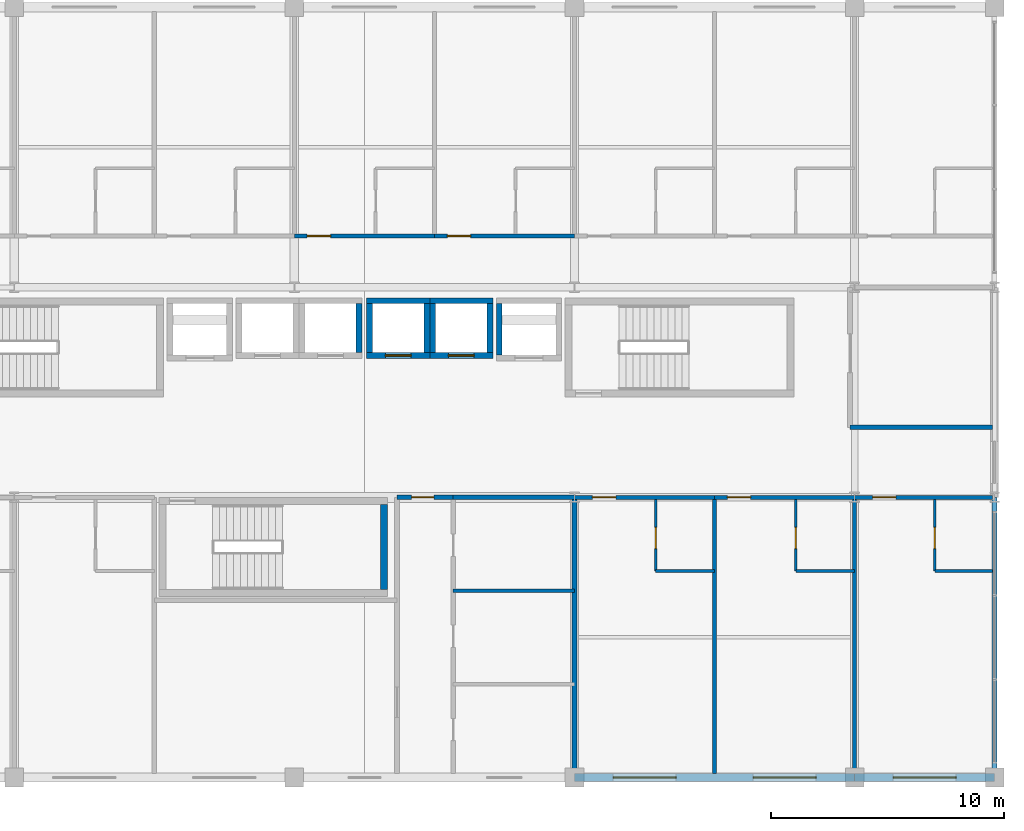
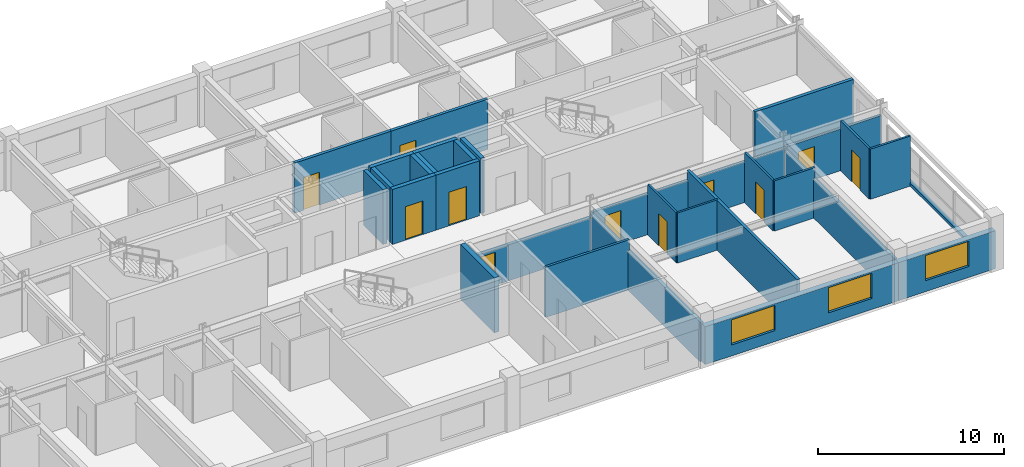
# One storey, part 23 of 26: 32 walls, 11 doors, 3 windows, 14 openings.
"""IFC4 building model written with IfcOpenShell, lengths in metres."""

from ifc_helpers import new_model, si_unit, direction, frame, frame_2d, origin, place, context, subcontext, project, spatial, rectangle, extrude, material, layer, layer_set, type_object, element, fill, save


model = new_model("IFC4")

# Units and contexts
model_context = context("Model", 3, precision=1e-05, world=origin(), true_north=direction((0.0, 1.0)))
body_context = subcontext(model_context, "Body", "Model", "MODEL_VIEW")
ifc_project = project(units=[si_unit("LENGTHUNIT", "METRE"), si_unit("AREAUNIT", "SQUARE_METRE"), si_unit("VOLUMEUNIT", "CUBIC_METRE"), si_unit("PLANEANGLEUNIT", "RADIAN"), si_unit("MASSUNIT", "GRAM", prefix="KILO")], contexts=[model_context])

# Site, building, storey
site_placement = place(None, origin())
site = spatial("IfcSite", under=ifc_project, at=site_placement, CompositionType="ELEMENT")
building_placement = place(site_placement, origin())
building = spatial("IfcBuilding", under=site, at=building_placement, Name="Kaldorvane Square Convention Centre", CompositionType="ELEMENT")
storey_placement = place(building_placement, frame((0.0, 0.0, 42.0)))
storey = spatial("IfcBuildingStorey", under=building, at=storey_placement, Name="L09", CompositionType="ELEMENT", Elevation=42.0)

# Wall, opening, door
ifc_material_1 = material(Name="Fire-Rated Gypsum Board on Acoustic Steel Studs", Category="steel")
ifc_layer_1 = layer(ifc_material_1, 0.125)
ifc_layer_set_1 = layer_set([ifc_layer_1], Name="Fire-Rated Gypsum Board on Acoustic Steel Studs")
wall_type_1 = type_object("IfcWallType", Name="WL-BATH-125", PredefinedType="PARTITIONING", material=ifc_layer_set_1)
wall_1_placement = place(storey_placement, frame((69.47999572753906, 92.85000610351562, 0.0), z_axis=(0.0, 0.0, 1.0), x_axis=(0.0, 1.0, 0.0)))
wall_1 = element("IfcWall", 1, at=wall_1_placement, inside=storey, type_object=wall_type_1, Name="En-Suite 915 West Wall", PredefinedType="PARTITIONING", context=body_context, shape_type="SweptSolid", body=[
    extrude(rectangle(XDim=3.05999755859375, YDim=0.125, at=frame_2d((1.529998779296875, 0.0))), origin(), (0.0, 0.0, 1.0), 3.2899932861328125),
])
opening_1_placement = place(wall_1_placement, frame((0.9499969482421875, 0.0, 0.0)))
opening_1 = element("IfcOpeningElement", 2, at=opening_1_placement, cuts=wall_1, Name="Opening ID-12", PredefinedType="OPENING", context=body_context, shape_type="SweptSolid", body=[
    extrude(rectangle(XDim=0.9199981689453125, YDim=2.100006103515625, at=frame_2d((0.459991455078125, 1.0500030517578125))), frame((0.0, 0.0774993896484375, 0.0), z_axis=(0.0, -1.0, 0.0), x_axis=(1.0, 0.0, 0.0)), (0.0, 0.0, 1.0), 0.154998779296875),
])
ifc_material_2 = material(Name="Architectural Solid-Core White Oak")
door_type_1 = type_object("IfcDoorType", Name="DR-BATH-0920X2100", OperationType="SINGLE_SWING_RIGHT", PredefinedType="DOOR", material=ifc_material_2)
door_1_placement = place(opening_1_placement, origin())
door_1 = element("IfcDoor", 3, at=door_1_placement, inside=storey, type_object=door_type_1, Name="En-Suite Bathroom 915 Door", OperationType="SINGLE_SWING_RIGHT", OverallHeight=2.100006103515625, OverallWidth=0.9199981689453125, PredefinedType="DOOR", context=body_context, shape_type="SweptSolid", body=[
    extrude(rectangle(XDim=0.9199981689453125, YDim=2.100006103515625, at=frame_2d((0.459991455078125, 1.0500030517578125))), frame((0.0, 0.024993896484375, 0.0), z_axis=(0.0, -1.0, 0.0), x_axis=(1.0, 0.0, 0.0)), (0.0, 0.0, 1.0), 0.0500030517578125),
])
fill(opening_1, door_1)

# Wall
wall_2_placement = place(storey_placement, frame((69.47999572753906, 92.85000610351562, 0.0), z_axis=(0.0, 0.0, 1.0), x_axis=(1.0, 0.0, 0.0)))
element("IfcWall", 4, at=wall_2_placement, inside=storey, type_object=wall_type_1, Name="En-Suite 915 South Wall", PredefinedType="PARTITIONING", context=body_context, shape_type="SweptSolid", body=[
    extrude(rectangle(XDim=2.5200042724609375, YDim=0.125, at=frame_2d((1.260009765625, 0.0))), origin(), (0.0, 0.0, 1.0), 3.2899932861328125),
])

# Wall, opening, door
wall_3_placement = place(storey_placement, frame((75.47999572753906, 92.85000610351562, 0.0), z_axis=(0.0, 0.0, 1.0), x_axis=(0.0, 1.0, 0.0)))
wall_3 = element("IfcWall", 5, at=wall_3_placement, inside=storey, type_object=wall_type_1, Name="En-Suite 916 West Wall", PredefinedType="PARTITIONING", context=body_context, shape_type="SweptSolid", body=[
    extrude(rectangle(XDim=3.05999755859375, YDim=0.125, at=frame_2d((1.529998779296875, 0.0))), origin(), (0.0, 0.0, 1.0), 3.2899932861328125),
])
opening_2_placement = place(wall_3_placement, frame((0.9499969482421875, 0.0, 0.0)))
opening_2 = element("IfcOpeningElement", 6, at=opening_2_placement, cuts=wall_3, Name="Opening ID-12", PredefinedType="OPENING", context=body_context, shape_type="SweptSolid", body=[
    extrude(rectangle(XDim=0.9199981689453125, YDim=2.100006103515625, at=frame_2d((0.459991455078125, 1.0500030517578125))), frame((0.0, 0.0774993896484375, 0.0), z_axis=(0.0, -1.0, 0.0), x_axis=(1.0, 0.0, 0.0)), (0.0, 0.0, 1.0), 0.154998779296875),
])
door_2_placement = place(opening_2_placement, origin())
door_2 = element("IfcDoor", 7, at=door_2_placement, inside=storey, type_object=door_type_1, Name="En-Suite Bathroom 916 Door", OperationType="SINGLE_SWING_RIGHT", OverallHeight=2.100006103515625, OverallWidth=0.9199981689453125, PredefinedType="DOOR", context=body_context, shape_type="SweptSolid", body=[
    extrude(rectangle(XDim=0.9199981689453125, YDim=2.100006103515625, at=frame_2d((0.459991455078125, 1.0500030517578125))), frame((0.0, 0.024993896484375, 0.0), z_axis=(0.0, -1.0, 0.0), x_axis=(1.0, 0.0, 0.0)), (0.0, 0.0, 1.0), 0.0500030517578125),
])
fill(opening_2, door_2)

# Wall
wall_4_placement = place(storey_placement, frame((75.47999572753906, 92.85000610351562, 0.0), z_axis=(0.0, 0.0, 1.0), x_axis=(1.0, 0.0, 0.0)))
element("IfcWall", 8, at=wall_4_placement, inside=storey, type_object=wall_type_1, Name="En-Suite 916 South Wall", PredefinedType="PARTITIONING", context=body_context, shape_type="SweptSolid", body=[
    extrude(rectangle(XDim=2.5200042724609375, YDim=0.125, at=frame_2d((1.260009765625, 0.0))), origin(), (0.0, 0.0, 1.0), 3.2899932861328125),
])

# Wall, opening, door
wall_5_placement = place(storey_placement, frame((81.43499755859375, 92.85000610351562, 0.0), z_axis=(0.0, 0.0, 1.0), x_axis=(0.0, 1.0, 0.0)))
wall_5 = element("IfcWall", 9, at=wall_5_placement, inside=storey, type_object=wall_type_1, Name="En-Suite 917 West Wall", PredefinedType="PARTITIONING", context=body_context, shape_type="SweptSolid", body=[
    extrude(rectangle(XDim=3.05999755859375, YDim=0.125, at=frame_2d((1.529998779296875, 0.0))), origin(), (0.0, 0.0, 1.0), 3.2899932861328125),
])
opening_3_placement = place(wall_5_placement, frame((0.9499969482421875, 0.0, 0.0)))
opening_3 = element("IfcOpeningElement", 10, at=opening_3_placement, cuts=wall_5, Name="Opening ID-12", PredefinedType="OPENING", context=body_context, shape_type="SweptSolid", body=[
    extrude(rectangle(XDim=0.9199981689453125, YDim=2.100006103515625, at=frame_2d((0.459991455078125, 1.0500030517578125))), frame((0.0, 0.0774993896484375, 0.0), z_axis=(0.0, -1.0, 0.0), x_axis=(1.0, 0.0, 0.0)), (0.0, 0.0, 1.0), 0.154998779296875),
])
door_3_placement = place(opening_3_placement, origin())
door_3 = element("IfcDoor", 11, at=door_3_placement, inside=storey, type_object=door_type_1, Name="En-Suite Bathroom 917 Door", OperationType="SINGLE_SWING_RIGHT", OverallHeight=2.100006103515625, OverallWidth=0.9199981689453125, PredefinedType="DOOR", context=body_context, shape_type="SweptSolid", body=[
    extrude(rectangle(XDim=0.9199981689453125, YDim=2.100006103515625, at=frame_2d((0.459991455078125, 1.0500030517578125))), frame((0.0, 0.024993896484375, 0.0), z_axis=(0.0, -1.0, 0.0), x_axis=(1.0, 0.0, 0.0)), (0.0, 0.0, 1.0), 0.0500030517578125),
])
fill(opening_3, door_3)

# Wall
wall_6_placement = place(storey_placement, frame((81.43499755859375, 92.85000610351562, 0.0), z_axis=(0.0, 0.0, 1.0), x_axis=(1.0, 0.0, 0.0)))
element("IfcWall", 12, at=wall_6_placement, inside=storey, type_object=wall_type_1, Name="En-Suite 917 South Wall", PredefinedType="PARTITIONING", context=body_context, shape_type="SweptSolid", body=[
    extrude(rectangle(XDim=2.4799957275390625, YDim=0.125, at=frame_2d((1.239990234375, 0.0))), origin(), (0.0, 0.0, 1.0), 3.2899932861328125),
])

# Wall, opening, door
ifc_layer_2 = layer(ifc_material_1, 0.1999969482421875)
ifc_layer_set_2 = layer_set([ifc_layer_2], Name="Fire-Rated Gypsum Board on Acoustic Steel Studs")
wall_type_2 = type_object("IfcWallType", Name="WL-CORR-200", PredefinedType="PARTITIONING", material=ifc_layer_set_2)
wall_7_placement = place(storey_placement, frame((58.399993896484375, 96.0, 0.0), z_axis=(0.0, 0.0, 1.0), x_axis=(1.0, 0.0, 0.0)))
wall_7 = element("IfcWall", 13, at=wall_7_placement, inside=storey, type_object=wall_type_2, Name="Restroom Vestibule Entry Header (L09)", PredefinedType="PARTITIONING", context=body_context, shape_type="SweptSolid", body=[
    extrude(rectangle(XDim=2.4000091552734375, YDim=0.1999969482421875, at=frame_2d((1.20001220703125, 0.0))), origin(), (0.0, 0.0, 1.0), 2.3589935302734375),
])
opening_4_placement = place(wall_7_placement, frame((0.625, 0.0, 0.0)))
opening_4 = element("IfcOpeningElement", 14, at=opening_4_placement, cuts=wall_7, Name="Opening ID-13", PredefinedType="OPENING", context=body_context, shape_type="SweptSolid", body=[
    extrude(rectangle(XDim=0.9499969482421875, YDim=2.149993896484375, at=frame_2d((0.475006103515625, 1.0749969482421875))), frame((0.0, 0.114990234375, 0.0), z_axis=(0.0, -1.0, 0.0), x_axis=(1.0, 0.0, 0.0)), (0.0, 0.0, 1.0), 0.2299957275390625),
])
door_type_2 = type_object("IfcDoorType", Name="DR-WC-0950X2150", OperationType="SINGLE_SWING_LEFT", PredefinedType="DOOR", material=ifc_material_2)
door_4_placement = place(opening_4_placement, origin())
door_4 = element("IfcDoor", 15, at=door_4_placement, inside=storey, type_object=door_type_2, Name="Restroom Vestibule Door (L09)", OperationType="SINGLE_SWING_LEFT", OverallHeight=2.149993896484375, OverallWidth=0.9499969482421875, PredefinedType="DOOR", context=body_context, shape_type="SweptSolid", body=[
    extrude(rectangle(XDim=0.9499969482421875, YDim=2.149993896484375, at=frame_2d((0.475006103515625, 1.0749969482421875))), frame((0.0, 0.024993896484375, 0.0), z_axis=(0.0, -1.0, 0.0), x_axis=(1.0, 0.0, 0.0)), (0.0, 0.0, 1.0), 0.0500030517578125),
])
fill(opening_4, door_4)

# Walls
wall_8_placement = place(storey_placement, frame((66.0, 84.17500305175781, 0.0), z_axis=(0.0, 0.0, 1.0), x_axis=(0.0, 1.0, 0.0)))
element("IfcWall", 16, at=wall_8_placement, inside=storey, type_object=wall_type_2, Name="Restroom East Wall (L09)", PredefinedType="PARTITIONING", context=body_context, shape_type="SweptSolid", body=[
    extrude(rectangle(XDim=11.824996948242188, YDim=0.1999969482421875, at=frame_2d((5.912506103515625, 0.0))), origin(), (0.0, 0.0, 1.0), 2.589996337890625),
])
wall_9_placement = place(storey_placement, frame((60.80000305175781, 96.0, 0.0), z_axis=(0.0, 0.0, 1.0), x_axis=(1.0, 0.0, 0.0)))
element("IfcWall", 17, at=wall_9_placement, inside=storey, type_object=wall_type_2, Name="Restroom North Wall (L09)", PredefinedType="PARTITIONING", context=body_context, shape_type="SweptSolid", body=[
    extrude(rectangle(XDim=5.1999969482421875, YDim=0.1999969482421875, at=frame_2d((2.600006103515625, 0.0))), origin(), (0.0, 0.0, 1.0), 2.3589935302734375),
])
wall_10_placement = place(storey_placement, frame((77.80000305175781, 99.0, 0.0), z_axis=(0.0, 0.0, 1.0), x_axis=(1.0, 0.0, 0.0)))
element("IfcWall", 18, at=wall_10_placement, inside=storey, type_object=wall_type_2, Name="East Square View Lounge (L09) S Wall", PredefinedType="PARTITIONING", context=body_context, shape_type="SweptSolid", body=[
    extrude(rectangle(XDim=6.114990234375, YDim=0.1999969482421875, at=frame_2d((3.0574951171875, 0.0))), origin(), (0.0, 0.0, 1.0), 3.2899932861328125),
])

# Wall, openings, windows
ifc_material_3 = material(Name="Concrete f'c = 42 MPa (Normalweight)", Category="concrete")
ifc_layer_3 = layer(ifc_material_3, 0.350006103515625)
ifc_layer_set_3 = layer_set([ifc_layer_3], Name="Concrete f'c = 42 MPa (Normalweight)")
wall_type_3 = type_object("IfcWallType", Name="WL-EXT-350", PredefinedType="STANDARD", material=ifc_layer_set_3)
wall_11_placement = place(storey_placement, frame((66.0, 84.0, 0.0), z_axis=(0.0, 0.0, 1.0), x_axis=(1.0, 0.0, 0.0)))
wall_11 = element("IfcWall", 19, at=wall_11_placement, inside=storey, type_object=wall_type_3, Name="Hotel S Brutalist Facade Wall (L09)", PredefinedType="STANDARD", context=body_context, shape_type="SweptSolid", body=[
    extrude(rectangle(XDim=12.0, YDim=0.350006103515625, at=frame_2d((6.0, 0.0))), origin(), (0.0, 0.0, 1.0), 2.485992431640625),
])
opening_5_placement = place(wall_11_placement, frame((1.649993896484375, 0.0, 0.720001220703125)))
opening_5 = element("IfcOpeningElement", 20, at=opening_5_placement, cuts=wall_11, Name="Opening W-03", PredefinedType="OPENING", context=body_context, shape_type="SweptSolid", body=[
    extrude(rectangle(XDim=2.6999969482421875, YDim=1.649993896484375, at=frame_2d((1.350006103515625, 0.8249969482421875))), frame((0.0, 0.19000244140625, 0.0), z_axis=(0.0, -1.0, 0.0), x_axis=(1.0, 0.0, 0.0)), (0.0, 0.0, 1.0), 0.3800048828125),
])
opening_6_placement = place(wall_11_placement, frame((7.649993896484375, 0.0, 0.720001220703125)))
opening_6 = element("IfcOpeningElement", 21, at=opening_6_placement, cuts=wall_11, Name="Opening W-03", PredefinedType="OPENING", context=body_context, shape_type="SweptSolid", body=[
    extrude(rectangle(XDim=2.6999969482421875, YDim=1.649993896484375, at=frame_2d((1.350006103515625, 0.8249969482421875))), frame((0.0, 0.19000244140625, 0.0), z_axis=(0.0, -1.0, 0.0), x_axis=(1.0, 0.0, 0.0)), (0.0, 0.0, 1.0), 0.3800048828125),
])
ifc_material_4 = material(Name="Anodized Aluminum and Low-E Insulated Glazing", Category="aluminium")
window_type = type_object("IfcWindowType", Name="WN-HTL-2700X1650", PartitioningType="TRIPLE_PANEL_VERTICAL", PredefinedType="WINDOW", material=ifc_material_4)
window_1_placement = place(opening_5_placement, origin())
window_1 = element("IfcWindow", 22, at=window_1_placement, inside=storey, type_object=window_type, Name="Hotel S Window (L09)", OverallHeight=1.649993896484375, OverallWidth=2.6999969482421875, PartitioningType="TRIPLE_PANEL_VERTICAL", PredefinedType="WINDOW", context=body_context, shape_type="SweptSolid", body=[
    extrude(rectangle(XDim=2.6999969482421875, YDim=1.649993896484375, at=frame_2d((1.350006103515625, 0.8249969482421875))), frame((0.0, 0.029998779296875, 0.0), z_axis=(0.0, -1.0, 0.0), x_axis=(1.0, 0.0, 0.0)), (0.0, 0.0, 1.0), 0.05999755859375),
])
fill(opening_5, window_1)
window_2_placement = place(opening_6_placement, origin())
window_2 = element("IfcWindow", 23, at=window_2_placement, inside=storey, type_object=window_type, Name="Hotel S Window (L09)", OverallHeight=1.649993896484375, OverallWidth=2.6999969482421875, PartitioningType="TRIPLE_PANEL_VERTICAL", PredefinedType="WINDOW", context=body_context, shape_type="SweptSolid", body=[
    extrude(rectangle(XDim=2.6999969482421875, YDim=1.649993896484375, at=frame_2d((1.350006103515625, 0.8249969482421875))), frame((0.0, 0.029998779296875, 0.0), z_axis=(0.0, -1.0, 0.0), x_axis=(1.0, 0.0, 0.0)), (0.0, 0.0, 1.0), 0.05999755859375),
])
fill(opening_6, window_2)

# Wall, opening, window
wall_12_placement = place(storey_placement, frame((78.0, 84.0, 0.0), z_axis=(0.0, 0.0, 1.0), x_axis=(1.0, 0.0, 0.0)))
wall_12 = element("IfcWall", 24, at=wall_12_placement, inside=storey, type_object=wall_type_3, Name="Hotel S Brutalist Facade Wall (L09)", PredefinedType="STANDARD", context=body_context, shape_type="SweptSolid", body=[
    extrude(rectangle(XDim=6.0, YDim=0.350006103515625, at=frame_2d((3.0, 0.0))), origin(), (0.0, 0.0, 1.0), 2.485992431640625),
])
opening_7_placement = place(wall_12_placement, frame((1.649993896484375, 0.0, 0.720001220703125)))
opening_7 = element("IfcOpeningElement", 25, at=opening_7_placement, cuts=wall_12, Name="Opening W-03", PredefinedType="OPENING", context=body_context, shape_type="SweptSolid", body=[
    extrude(rectangle(XDim=2.6999969482421875, YDim=1.649993896484375, at=frame_2d((1.350006103515625, 0.8249969482421875))), frame((0.0, 0.19000244140625, 0.0), z_axis=(0.0, -1.0, 0.0), x_axis=(1.0, 0.0, 0.0)), (0.0, 0.0, 1.0), 0.3800048828125),
])
window_3_placement = place(opening_7_placement, origin())
window_3 = element("IfcWindow", 26, at=window_3_placement, inside=storey, type_object=window_type, Name="Hotel S Window (L09)", OverallHeight=1.649993896484375, OverallWidth=2.6999969482421875, PartitioningType="TRIPLE_PANEL_VERTICAL", PredefinedType="WINDOW", context=body_context, shape_type="SweptSolid", body=[
    extrude(rectangle(XDim=2.6999969482421875, YDim=1.649993896484375, at=frame_2d((1.350006103515625, 0.8249969482421875))), frame((0.0, 0.029998779296875, 0.0), z_axis=(0.0, -1.0, 0.0), x_axis=(1.0, 0.0, 0.0)), (0.0, 0.0, 1.0), 0.05999755859375),
])
fill(opening_7, window_3)

# Walls
ifc_material_5 = material(Name="Concrete f'c = 35 MPa (Normalweight)", Category="concrete")
ifc_layer_4 = layer(ifc_material_5, 0.220001220703125)
ifc_layer_set_4 = layer_set([ifc_layer_4], Name="Concrete f'c = 35 MPa (Normalweight)")
wall_type_4 = type_object("IfcWallType", Name="WL-PAR-220", PredefinedType="PARAPET", material=ifc_layer_set_4)
wall_13_placement = place(storey_placement, frame((84.0, 84.0, 0.0), z_axis=(0.0, 0.0, 1.0), x_axis=(0.0, 1.0, 0.0)))
element("IfcWall", 27, at=wall_13_placement, inside=storey, type_object=wall_type_4, Name="Hotel End Curtain-Wall Sill (L09)", PredefinedType="PARAPET", context=body_context, shape_type="SweptSolid", body=[
    extrude(rectangle(XDim=12.0, YDim=0.220001220703125, at=frame_2d((6.0, 0.0))), origin(), (0.0, 0.0, 1.0), 0.1999969482421875),
])
ifc_layer_5 = layer(ifc_material_1, 0.149993896484375)
ifc_layer_set_5 = layer_set([ifc_layer_5], Name="Fire-Rated Gypsum Board on Acoustic Steel Studs")
wall_type_5 = type_object("IfcWallType", Name="WL-PART-150", PredefinedType="PARTITIONING", material=ifc_layer_set_5)
wall_14_placement = place(storey_placement, frame((60.80000305175781, 92.0, 0.0), z_axis=(0.0, 0.0, 1.0), x_axis=(1.0, 0.0, 0.0)))
element("IfcWall", 28, at=wall_14_placement, inside=storey, type_object=wall_type_5, Name="Restroom Partition 2 (L09)", PredefinedType="PARTITIONING", context=body_context, shape_type="SweptSolid", body=[
    extrude(rectangle(XDim=5.1999969482421875, YDim=0.149993896484375, at=frame_2d((2.600006103515625, 0.0))), origin(), (0.0, 0.0, 1.0), 3.2899932861328125),
])
ifc_material_6 = material(Name="Concrete f'c = 55 MPa (Normalweight)", Category="concrete")
ifc_layer_6 = layer(ifc_material_6, 0.3000030517578125)
ifc_layer_set_6 = layer_set([ifc_layer_6], Name="Concrete f'c = 55 MPa (Normalweight)")
wall_type_6 = type_object("IfcWallType", Name="WL-SHAFT-300", PredefinedType="SHEAR", material=ifc_layer_set_6)
wall_15_placement = place(storey_placement, frame((57.850006103515625, 92.05999755859375, 0.0), z_axis=(0.0, 0.0, 1.0), x_axis=(0.0, 1.0, 0.0)))
element("IfcWall", 29, at=wall_15_placement, inside=storey, type_object=wall_type_6, Name="Core Enclosure Wall stair:ST-T3-E (L09)", PredefinedType="SHEAR", context=body_context, shape_type="SweptSolid", body=[
    extrude(rectangle(XDim=3.6399993896484375, YDim=0.3000030517578125, at=frame_2d((1.82000732421875, 0.0))), origin(), (0.0, 0.0, 1.0), 3.600006103515625),
])
wall_16_placement = place(storey_placement, frame((62.774993896484375, 104.30000305175781, 0.0), z_axis=(0.0, 0.0, 1.0), x_axis=(0.0, -1.0, 0.0)))
element("IfcWall", 30, at=wall_16_placement, inside=storey, type_object=wall_type_6, Name="Core Enclosure Wall lift:FSAE-02-W (L09)", PredefinedType="SHEAR", context=body_context, shape_type="SweptSolid", body=[
    extrude(rectangle(XDim=2.1999969482421875, YDim=0.25, at=frame_2d((1.100006103515625, 0.0))), origin(), (0.0, 0.0, 1.0), 3.600006103515625),
])
wall_17_placement = place(storey_placement, frame((56.774993896484375, 102.19999694824219, 0.0), z_axis=(0.0, 0.0, 1.0), x_axis=(0.0, 1.0, 0.0)))
element("IfcWall", 31, at=wall_17_placement, inside=storey, type_object=wall_type_6, Name="Core Enclosure Wall lift:EL-P2-E (L09)", PredefinedType="SHEAR", context=body_context, shape_type="SweptSolid", body=[
    extrude(rectangle(XDim=2.100006103515625, YDim=0.25, at=frame_2d((1.0500030517578125, 0.0))), origin(), (0.0, 0.0, 1.0), 3.600006103515625),
])

# Wall, opening, door
wall_18_placement = place(storey_placement, frame((57.100006103515625, 102.07499694824219, 0.0), z_axis=(0.0, 0.0, 1.0), x_axis=(1.0, 0.0, 0.0)))
wall_18 = element("IfcWall", 32, at=wall_18_placement, inside=storey, type_object=wall_type_6, Name="Core Enclosure Wall lift:EL-P3-S (L09)", PredefinedType="SHEAR", context=body_context, shape_type="SweptSolid", body=[
    extrude(rectangle(XDim=2.6999969482421875, YDim=0.25, at=frame_2d((1.350006103515625, 0.0))), origin(), (0.0, 0.0, 1.0), 3.600006103515625),
])
opening_8_placement = place(wall_18_placement, frame((0.8000030517578125, 0.0, 0.0)))
opening_8 = element("IfcOpeningElement", 33, at=opening_8_placement, cuts=wall_18, Name="Opening LD-01", PredefinedType="OPENING", context=body_context, shape_type="SweptSolid", body=[
    extrude(rectangle(XDim=1.100006103515625, YDim=2.1999969482421875, at=frame_2d((0.5500030517578125, 1.100006103515625))), frame((0.0, 0.1399993896484375, 0.0), z_axis=(0.0, -1.0, 0.0), x_axis=(1.0, 0.0, 0.0)), (0.0, 0.0, 1.0), 0.279998779296875),
])
ifc_material_7 = material(Name="Stainless Steel Elevator Door Assembly", Category="steel")
door_type_3 = type_object("IfcDoorType", Name="DR-LIFT-1100", OperationType="DOUBLE_DOOR_SLIDING", PredefinedType="DOOR", material=ifc_material_7)
door_5_placement = place(opening_8_placement, origin())
door_5 = element("IfcDoor", 34, at=door_5_placement, inside=storey, type_object=door_type_3, Name="Elevator Landing Door EL-P3 (L09)", OperationType="DOUBLE_DOOR_SLIDING", OverallHeight=2.1999969482421875, OverallWidth=1.100006103515625, PredefinedType="DOOR", context=body_context, shape_type="SweptSolid", body=[
    extrude(rectangle(XDim=1.100006103515625, YDim=2.1999969482421875, at=frame_2d((0.5500030517578125, 1.100006103515625))), frame((0.0, 0.024993896484375, 0.0), z_axis=(0.0, -1.0, 0.0), x_axis=(1.0, 0.0, 0.0)), (0.0, 0.0, 1.0), 0.0500030517578125),
])
fill(opening_8, door_5)

# Walls
wall_19_placement = place(storey_placement, frame((59.80000305175781, 104.42500305175781, 0.0), z_axis=(0.0, 0.0, 1.0), x_axis=(-1.0, 0.0, 0.0)))
element("IfcWall", 35, at=wall_19_placement, inside=storey, type_object=wall_type_6, Name="Core Enclosure Wall lift:EL-P3-N (L09)", PredefinedType="SHEAR", context=body_context, shape_type="SweptSolid", body=[
    extrude(rectangle(XDim=2.6999969482421875, YDim=0.25, at=frame_2d((1.350006103515625, 0.0))), origin(), (0.0, 0.0, 1.0), 3.600006103515625),
])
for number, where, z_axis, x_axis, name in (
    (36, (57.225006103515625, 104.30000305175781, 0.0), (0.0, 0.0, 1.0), (0.0, -1.0, 0.0), "Core Enclosure Wall lift:EL-P3-W (L09)"),
    (37, (59.67500305175781, 102.19999694824219, 0.0), (0.0, 0.0, 1.0), (0.0, 1.0, 0.0), "Core Enclosure Wall lift:EL-P3-E (L09)"),
):
    element("IfcWall", number, at=place(storey_placement, frame(where, z_axis=z_axis, x_axis=x_axis)), inside=storey, type_object=wall_type_6, Name=name, PredefinedType="SHEAR", context=body_context, shape_type="SweptSolid", body=[
        extrude(rectangle(XDim=2.100006103515625, YDim=0.25, at=frame_2d((1.0500030517578125, 0.0))), origin(), (0.0, 0.0, 1.0), 3.600006103515625),
    ])

# Wall, opening, door
wall_20_placement = place(storey_placement, frame((59.80000305175781, 102.07499694824219, 0.0), z_axis=(0.0, 0.0, 1.0), x_axis=(1.0, 0.0, 0.0)))
wall_20 = element("IfcWall", 38, at=wall_20_placement, inside=storey, type_object=wall_type_6, Name="Core Enclosure Wall lift:EL-P4-S (L09)", PredefinedType="SHEAR", context=body_context, shape_type="SweptSolid", body=[
    extrude(rectangle(XDim=2.6999969482421875, YDim=0.25, at=frame_2d((1.350006103515625, 0.0))), origin(), (0.0, 0.0, 1.0), 3.600006103515625),
])
opening_9_placement = place(wall_20_placement, frame((0.8000030517578125, 0.0, 0.0)))
opening_9 = element("IfcOpeningElement", 39, at=opening_9_placement, cuts=wall_20, Name="Opening LD-01", PredefinedType="OPENING", context=body_context, shape_type="SweptSolid", body=[
    extrude(rectangle(XDim=1.100006103515625, YDim=2.1999969482421875, at=frame_2d((0.5500030517578125, 1.100006103515625))), frame((0.0, 0.1399993896484375, 0.0), z_axis=(0.0, -1.0, 0.0), x_axis=(1.0, 0.0, 0.0)), (0.0, 0.0, 1.0), 0.279998779296875),
])
door_6_placement = place(opening_9_placement, origin())
door_6 = element("IfcDoor", 40, at=door_6_placement, inside=storey, type_object=door_type_3, Name="Elevator Landing Door EL-P4 (L09)", OperationType="DOUBLE_DOOR_SLIDING", OverallHeight=2.1999969482421875, OverallWidth=1.100006103515625, PredefinedType="DOOR", context=body_context, shape_type="SweptSolid", body=[
    extrude(rectangle(XDim=1.100006103515625, YDim=2.1999969482421875, at=frame_2d((0.5500030517578125, 1.100006103515625))), frame((0.0, 0.024993896484375, 0.0), z_axis=(0.0, -1.0, 0.0), x_axis=(1.0, 0.0, 0.0)), (0.0, 0.0, 1.0), 0.0500030517578125),
])
fill(opening_9, door_6)

# Walls
wall_21_placement = place(storey_placement, frame((62.5, 104.42500305175781, 0.0), z_axis=(0.0, 0.0, 1.0), x_axis=(-1.0, 0.0, 0.0)))
element("IfcWall", 41, at=wall_21_placement, inside=storey, type_object=wall_type_6, Name="Core Enclosure Wall lift:EL-P4-N (L09)", PredefinedType="SHEAR", context=body_context, shape_type="SweptSolid", body=[
    extrude(rectangle(XDim=2.6999969482421875, YDim=0.25, at=frame_2d((1.350006103515625, 0.0))), origin(), (0.0, 0.0, 1.0), 3.600006103515625),
])
for number, where, z_axis, x_axis, name in (
    (42, (59.92500305175781, 104.30000305175781, 0.0), (0.0, 0.0, 1.0), (0.0, -1.0, 0.0), "Core Enclosure Wall lift:EL-P4-W (L09)"),
    (43, (62.375, 102.19999694824219, 0.0), (0.0, 0.0, 1.0), (0.0, 1.0, 0.0), "Core Enclosure Wall lift:EL-P4-E (L09)"),
):
    element("IfcWall", number, at=place(storey_placement, frame(where, z_axis=z_axis, x_axis=x_axis)), inside=storey, type_object=wall_type_6, Name=name, PredefinedType="SHEAR", context=body_context, shape_type="SweptSolid", body=[
        extrude(rectangle(XDim=2.100006103515625, YDim=0.25, at=frame_2d((1.0500030517578125, 0.0))), origin(), (0.0, 0.0, 1.0), 3.600006103515625),
    ])

# Wall, opening, door
ifc_layer_7 = layer(ifc_material_1, 0.17999267578125)
ifc_layer_set_7 = layer_set([ifc_layer_7], Name="Fire-Rated Gypsum Board on Acoustic Steel Studs")
wall_type_7 = type_object("IfcWallType", Name="WL-UNIT-180", PredefinedType="PARTITIONING", material=ifc_layer_set_7)
wall_22_placement = place(storey_placement, frame((54.0, 107.19999694824219, 0.0), z_axis=(0.0, 0.0, 1.0), x_axis=(1.0, 0.0, 0.0)))
wall_22 = element("IfcWall", 44, at=wall_22_placement, inside=storey, type_object=wall_type_7, Name="Hotel Guest Room 906 Corridor Wall", PredefinedType="PARTITIONING", context=body_context, shape_type="SweptSolid", body=[
    extrude(rectangle(XDim=6.0, YDim=0.17999267578125, at=frame_2d((3.0, 0.0))), origin(), (0.0, 0.0, 1.0), 3.2899932861328125),
])
opening_10_placement = place(wall_22_placement, frame((0.5500030517578125, 0.0, 0.0)))
opening_10 = element("IfcOpeningElement", 45, at=opening_10_placement, cuts=wall_22, Name="Opening ID-10", PredefinedType="OPENING", context=body_context, shape_type="SweptSolid", body=[
    extrude(rectangle(XDim=1.0, YDim=2.149993896484375, at=frame_2d((0.5, 1.0749969482421875))), frame((0.0, 0.1049957275390625, 0.0), z_axis=(0.0, -1.0, 0.0), x_axis=(1.0, 0.0, 0.0)), (0.0, 0.0, 1.0), 0.209991455078125),
])
door_type_4 = type_object("IfcDoorType", Name="DR-GUEST-1000X2150", OperationType="SINGLE_SWING_LEFT", PredefinedType="DOOR", material=ifc_material_2)
door_7_placement = place(opening_10_placement, origin())
door_7 = element("IfcDoor", 46, at=door_7_placement, inside=storey, type_object=door_type_4, Name="Hotel Guest Room 906 Entry Door", OperationType="SINGLE_SWING_LEFT", OverallHeight=2.149993896484375, OverallWidth=1.0, PredefinedType="DOOR", context=body_context, shape_type="SweptSolid", body=[
    extrude(rectangle(XDim=1.0, YDim=2.149993896484375, at=frame_2d((0.5, 1.0749969482421875))), frame((0.0, 0.024993896484375, 0.0), z_axis=(0.0, -1.0, 0.0), x_axis=(1.0, 0.0, 0.0)), (0.0, 0.0, 1.0), 0.0500030517578125),
])
fill(opening_10, door_7)

wall_23_placement = place(storey_placement, frame((60.0, 107.19999694824219, 0.0), z_axis=(0.0, 0.0, 1.0), x_axis=(1.0, 0.0, 0.0)))
wall_23 = element("IfcWall", 47, at=wall_23_placement, inside=storey, type_object=wall_type_7, Name="Hotel Guest Room 907 Corridor Wall", PredefinedType="PARTITIONING", context=body_context, shape_type="SweptSolid", body=[
    extrude(rectangle(XDim=6.0, YDim=0.17999267578125, at=frame_2d((3.0, 0.0))), origin(), (0.0, 0.0, 1.0), 3.2899932861328125),
])
opening_11_placement = place(wall_23_placement, frame((0.5500030517578125, 0.0, 0.0)))
opening_11 = element("IfcOpeningElement", 48, at=opening_11_placement, cuts=wall_23, Name="Opening ID-10", PredefinedType="OPENING", context=body_context, shape_type="SweptSolid", body=[
    extrude(rectangle(XDim=1.0, YDim=2.149993896484375, at=frame_2d((0.5, 1.0749969482421875))), frame((0.0, 0.1049957275390625, 0.0), z_axis=(0.0, -1.0, 0.0), x_axis=(1.0, 0.0, 0.0)), (0.0, 0.0, 1.0), 0.209991455078125),
])
door_8_placement = place(opening_11_placement, origin())
door_8 = element("IfcDoor", 49, at=door_8_placement, inside=storey, type_object=door_type_4, Name="Hotel Guest Room 907 Entry Door", OperationType="SINGLE_SWING_LEFT", OverallHeight=2.149993896484375, OverallWidth=1.0, PredefinedType="DOOR", context=body_context, shape_type="SweptSolid", body=[
    extrude(rectangle(XDim=1.0, YDim=2.149993896484375, at=frame_2d((0.5, 1.0749969482421875))), frame((0.0, 0.024993896484375, 0.0), z_axis=(0.0, -1.0, 0.0), x_axis=(1.0, 0.0, 0.0)), (0.0, 0.0, 1.0), 0.0500030517578125),
])
fill(opening_11, door_8)

wall_24_placement = place(storey_placement, frame((66.0, 96.0, 0.0), z_axis=(0.0, 0.0, 1.0), x_axis=(1.0, 0.0, 0.0)))
wall_24 = element("IfcWall", 50, at=wall_24_placement, inside=storey, type_object=wall_type_7, Name="Hotel Guest Room 915 Corridor Wall", PredefinedType="PARTITIONING", context=body_context, shape_type="SweptSolid", body=[
    extrude(rectangle(XDim=6.0, YDim=0.17999267578125, at=frame_2d((3.0, 0.0))), origin(), (0.0, 0.0, 1.0), 2.66400146484375),
])
opening_12_placement = place(wall_24_placement, frame((0.7700042724609375, 0.0, 0.0)))
opening_12 = element("IfcOpeningElement", 51, at=opening_12_placement, cuts=wall_24, Name="Opening ID-10", PredefinedType="OPENING", context=body_context, shape_type="SweptSolid", body=[
    extrude(rectangle(XDim=1.0, YDim=2.149993896484375, at=frame_2d((0.5, 1.0749969482421875))), frame((0.0, 0.1049957275390625, 0.0), z_axis=(0.0, -1.0, 0.0), x_axis=(1.0, 0.0, 0.0)), (0.0, 0.0, 1.0), 0.209991455078125),
])
door_9_placement = place(opening_12_placement, origin())
door_9 = element("IfcDoor", 52, at=door_9_placement, inside=storey, type_object=door_type_4, Name="Hotel Guest Room 915 Entry Door", OperationType="SINGLE_SWING_LEFT", OverallHeight=2.149993896484375, OverallWidth=1.0, PredefinedType="DOOR", context=body_context, shape_type="SweptSolid", body=[
    extrude(rectangle(XDim=1.0, YDim=2.149993896484375, at=frame_2d((0.5, 1.0749969482421875))), frame((0.0, 0.024993896484375, 0.0), z_axis=(0.0, -1.0, 0.0), x_axis=(1.0, 0.0, 0.0)), (0.0, 0.0, 1.0), 0.0500030517578125),
])
fill(opening_12, door_9)

# Wall
wall_25_placement = place(storey_placement, frame((72.0, 84.17500305175781, 0.0), z_axis=(0.0, 0.0, 1.0), x_axis=(0.0, 1.0, 0.0)))
element("IfcWall", 53, at=wall_25_placement, inside=storey, type_object=wall_type_7, Name="Guestroom Demising Wall 915", PredefinedType="PARTITIONING", context=body_context, shape_type="SweptSolid", body=[
    extrude(rectangle(XDim=11.824996948242188, YDim=0.17999267578125, at=frame_2d((5.912506103515625, 0.0))), origin(), (0.0, 0.0, 1.0), 3.2899932861328125),
])

# Wall, opening, door
wall_26_placement = place(storey_placement, frame((72.0, 96.0, 0.0), z_axis=(0.0, 0.0, 1.0), x_axis=(1.0, 0.0, 0.0)))
wall_26 = element("IfcWall", 54, at=wall_26_placement, inside=storey, type_object=wall_type_7, Name="Hotel Guest Room 916 Corridor Wall", PredefinedType="PARTITIONING", context=body_context, shape_type="SweptSolid", body=[
    extrude(rectangle(XDim=6.0, YDim=0.17999267578125, at=frame_2d((3.0, 0.0))), origin(), (0.0, 0.0, 1.0), 2.66400146484375),
])
opening_13_placement = place(wall_26_placement, frame((0.5500030517578125, 0.0, 0.0)))
opening_13 = element("IfcOpeningElement", 55, at=opening_13_placement, cuts=wall_26, Name="Opening ID-10", PredefinedType="OPENING", context=body_context, shape_type="SweptSolid", body=[
    extrude(rectangle(XDim=1.0, YDim=2.149993896484375, at=frame_2d((0.5, 1.0749969482421875))), frame((0.0, 0.1049957275390625, 0.0), z_axis=(0.0, -1.0, 0.0), x_axis=(1.0, 0.0, 0.0)), (0.0, 0.0, 1.0), 0.209991455078125),
])
door_10_placement = place(opening_13_placement, origin())
door_10 = element("IfcDoor", 56, at=door_10_placement, inside=storey, type_object=door_type_4, Name="Hotel Guest Room 916 Entry Door", OperationType="SINGLE_SWING_LEFT", OverallHeight=2.149993896484375, OverallWidth=1.0, PredefinedType="DOOR", context=body_context, shape_type="SweptSolid", body=[
    extrude(rectangle(XDim=1.0, YDim=2.149993896484375, at=frame_2d((0.5, 1.0749969482421875))), frame((0.0, 0.024993896484375, 0.0), z_axis=(0.0, -1.0, 0.0), x_axis=(1.0, 0.0, 0.0)), (0.0, 0.0, 1.0), 0.0500030517578125),
])
fill(opening_13, door_10)

# Wall
wall_27_placement = place(storey_placement, frame((78.0, 84.17500305175781, 0.0), z_axis=(0.0, 0.0, 1.0), x_axis=(0.0, 1.0, 0.0)))
element("IfcWall", 57, at=wall_27_placement, inside=storey, type_object=wall_type_7, Name="Guestroom Demising Wall 916", PredefinedType="PARTITIONING", context=body_context, shape_type="SweptSolid", body=[
    extrude(rectangle(XDim=11.824996948242188, YDim=0.17999267578125, at=frame_2d((5.912506103515625, 0.0))), origin(), (0.0, 0.0, 1.0), 2.589996337890625),
])

# Wall, opening, door
wall_28_placement = place(storey_placement, frame((78.0, 96.0, 0.0), z_axis=(0.0, 0.0, 1.0), x_axis=(1.0, 0.0, 0.0)))
wall_28 = element("IfcWall", 58, at=wall_28_placement, inside=storey, type_object=wall_type_7, Name="Hotel Guest Room 917 Corridor Wall", PredefinedType="PARTITIONING", context=body_context, shape_type="SweptSolid", body=[
    extrude(rectangle(XDim=5.9149932861328125, YDim=0.17999267578125, at=frame_2d((2.957489013671875, 0.0))), origin(), (0.0, 0.0, 1.0), 2.735992431640625),
])
opening_14_placement = place(wall_28_placement, frame((0.7700042724609375, 0.0, 0.0)))
opening_14 = element("IfcOpeningElement", 59, at=opening_14_placement, cuts=wall_28, Name="Opening ID-10", PredefinedType="OPENING", context=body_context, shape_type="SweptSolid", body=[
    extrude(rectangle(XDim=1.0, YDim=2.149993896484375, at=frame_2d((0.5, 1.0749969482421875))), frame((0.0, 0.1049957275390625, 0.0), z_axis=(0.0, -1.0, 0.0), x_axis=(1.0, 0.0, 0.0)), (0.0, 0.0, 1.0), 0.209991455078125),
])
door_11_placement = place(opening_14_placement, origin())
door_11 = element("IfcDoor", 60, at=door_11_placement, inside=storey, type_object=door_type_4, Name="Hotel Guest Room 917 Entry Door", OperationType="SINGLE_SWING_LEFT", OverallHeight=2.149993896484375, OverallWidth=1.0, PredefinedType="DOOR", context=body_context, shape_type="SweptSolid", body=[
    extrude(rectangle(XDim=1.0, YDim=2.149993896484375, at=frame_2d((0.5, 1.0749969482421875))), frame((0.0, 0.024993896484375, 0.0), z_axis=(0.0, -1.0, 0.0), x_axis=(1.0, 0.0, 0.0)), (0.0, 0.0, 1.0), 0.0500030517578125),
])
fill(opening_14, door_11)

save(model, "model.ifc")
